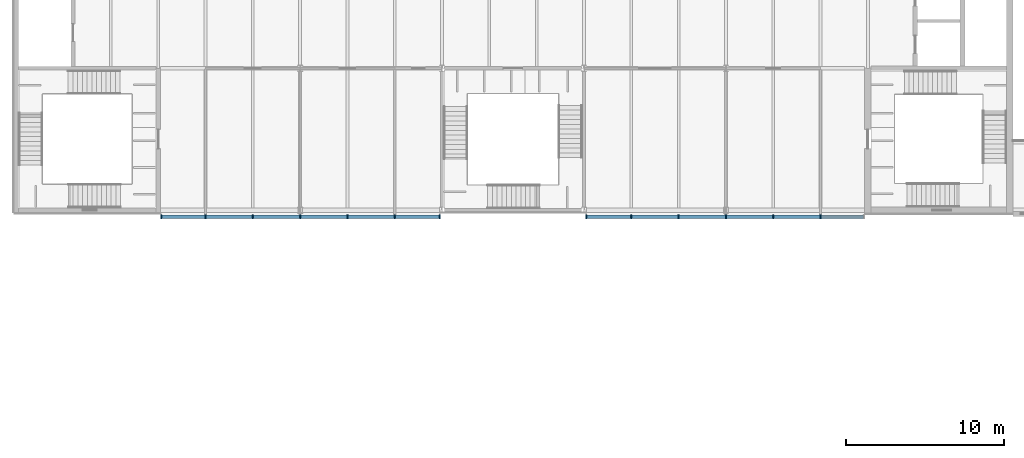
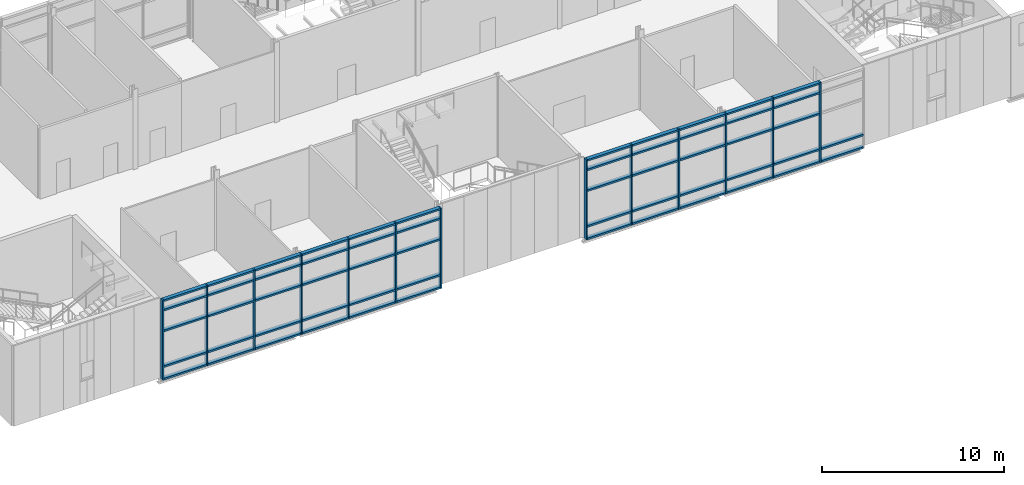
# One storey, part 12 of 56: 70 members, 2 elements without a shape of their own.
"""IFC4 building model written with IfcOpenShell, lengths in metres."""

from ifc_helpers import new_model, si_unit, direction, frame, origin, origin_2d, place, context, subcontext, project, spatial, rectangle, extrude, material, material_profile, profile_set, type_object, element, aggregate, save


model = new_model("IFC4")

# Units and contexts
model_context = context("Model", 3, precision=1e-05, world=origin(), true_north=direction((0.0, 1.0)))
body_context = subcontext(model_context, "Body", "Model", "MODEL_VIEW")
ifc_project = project(units=[si_unit("LENGTHUNIT", "METRE"), si_unit("AREAUNIT", "SQUARE_METRE"), si_unit("VOLUMEUNIT", "CUBIC_METRE"), si_unit("PLANEANGLEUNIT", "RADIAN"), si_unit("MASSUNIT", "GRAM", prefix="KILO")], contexts=[model_context])

# Site, building, storey
site_placement = place(None, origin())
site = spatial("IfcSite", under=ifc_project, at=site_placement, CompositionType="ELEMENT")
building_placement = place(site_placement, origin())
building = spatial("IfcBuilding", under=site, at=building_placement, Name="Azimuth Sports and Learning Centre", CompositionType="ELEMENT")
storey_placement = place(building_placement, frame((0.0, 0.0, 5.39990234375)))
storey = spatial("IfcBuildingStorey", under=building, at=storey_placement, Name="L01", CompositionType="ELEMENT", Elevation=5.39990234375)

# Curtain wall, members
ifc_material_1 = material(Name="Aluminium and glass", Category="aluminium")
curtain_wall_type = type_object("IfcCurtainWallType", Name="Curtain wall podium wing 240", PredefinedType="NOTDEFINED", material=ifc_material_1)
curtain_wall_1_placement = place(storey_placement, origin())
curtain_wall_1 = element("IfcCurtainWall", 1, at=curtain_wall_1_placement, inside=storey, type_object=curtain_wall_type, Name="Curtain wall CW01-001", PredefinedType="NOTDEFINED")
ifc_material_2 = material(Name="Aluminium", Category="aluminium")
ifc_material_profile_1 = material_profile(ifc_material_2, rectangle(XDim=0.239990234375, YDim=0.080078125, at=origin_2d()), Name="Mullion 80x240")
ifc_profile_set_1 = profile_set([ifc_material_profile_1], Name="Aluminium")
member_type_1 = type_object("IfcMemberType", Name="Mullion 80x240", PredefinedType="MULLION", material=ifc_profile_set_1)
member_1_placement = place(storey_placement, frame((9.18994140625, 89.580078125, 0.0), z_axis=(0.0, 0.0, 1.0), x_axis=(0.0, 1.0, 0.0)))
member_1 = element("IfcMember", 2, at=member_1_placement, type_object=member_type_1, Name="CW01-001 mullion 1", PredefinedType="MULLION", context=body_context, shape_type="SweptSolid", body=[
    extrude(rectangle(XDim=0.239990234375, YDim=0.080078125, at=origin_2d()), origin(), (0.0, 0.0, 1.0), 5.400146484375),
])
member_2_placement = place(storey_placement, frame((12.0, 89.580078125, 0.0), z_axis=(0.0, 0.0, 1.0), x_axis=(0.0, 1.0, 0.0)))
member_2 = element("IfcMember", 3, at=member_2_placement, type_object=member_type_1, Name="CW01-001 mullion 2", PredefinedType="MULLION", context=body_context, shape_type="SweptSolid", body=[
    extrude(rectangle(XDim=0.239990234375, YDim=0.080078125, at=origin_2d()), origin(), (0.0, 0.0, 1.0), 5.400146484375),
])
member_3_placement = place(storey_placement, frame((15.0, 89.580078125, 0.0), z_axis=(0.0, 0.0, 1.0), x_axis=(0.0, 1.0, 0.0)))
member_3 = element("IfcMember", 4, at=member_3_placement, type_object=member_type_1, Name="CW01-001 mullion 3", PredefinedType="MULLION", context=body_context, shape_type="SweptSolid", body=[
    extrude(rectangle(XDim=0.239990234375, YDim=0.080078125, at=origin_2d()), origin(), (0.0, 0.0, 1.0), 5.400146484375),
])
member_4_placement = place(storey_placement, frame((18.0, 89.580078125, 0.0), z_axis=(0.0, 0.0, 1.0), x_axis=(0.0, 1.0, 0.0)))
member_4 = element("IfcMember", 5, at=member_4_placement, type_object=member_type_1, Name="CW01-001 mullion 4", PredefinedType="MULLION", context=body_context, shape_type="SweptSolid", body=[
    extrude(rectangle(XDim=0.239990234375, YDim=0.080078125, at=origin_2d()), origin(), (0.0, 0.0, 1.0), 5.400146484375),
])
member_5_placement = place(storey_placement, frame((21.0, 89.580078125, 0.0), z_axis=(0.0, 0.0, 1.0), x_axis=(0.0, 1.0, 0.0)))
member_5 = element("IfcMember", 6, at=member_5_placement, type_object=member_type_1, Name="CW01-001 mullion 5", PredefinedType="MULLION", context=body_context, shape_type="SweptSolid", body=[
    extrude(rectangle(XDim=0.239990234375, YDim=0.080078125, at=origin_2d()), origin(), (0.0, 0.0, 1.0), 5.400146484375),
])
member_6_placement = place(storey_placement, frame((24.0, 89.580078125, 0.0), z_axis=(0.0, 0.0, 1.0), x_axis=(0.0, 1.0, 0.0)))
member_6 = element("IfcMember", 7, at=member_6_placement, type_object=member_type_1, Name="CW01-001 mullion 6", PredefinedType="MULLION", context=body_context, shape_type="SweptSolid", body=[
    extrude(rectangle(XDim=0.239990234375, YDim=0.080078125, at=origin_2d()), origin(), (0.0, 0.0, 1.0), 5.400146484375),
])
member_7_placement = place(storey_placement, frame((26.860107421875, 89.580078125, 0.0), z_axis=(0.0, 0.0, 1.0), x_axis=(0.0, 1.0, 0.0)))
member_7 = element("IfcMember", 8, at=member_7_placement, type_object=member_type_1, Name="CW01-001 mullion 7", PredefinedType="MULLION", context=body_context, shape_type="SweptSolid", body=[
    extrude(rectangle(XDim=0.239990234375, YDim=0.080078125, at=origin_2d()), origin(), (0.0, 0.0, 1.0), 5.400146484375),
])

curtain_wall_2_placement = place(storey_placement, origin())
curtain_wall_2 = element("IfcCurtainWall", 9, at=curtain_wall_2_placement, inside=storey, type_object=curtain_wall_type, Name="Curtain wall CW01-002", PredefinedType="NOTDEFINED")
member_8_placement = place(storey_placement, frame((36.139892578125, 89.580078125, 0.0), z_axis=(0.0, 0.0, 1.0), x_axis=(0.0, 1.0, 0.0)))
member_8 = element("IfcMember", 10, at=member_8_placement, type_object=member_type_1, Name="CW01-002 mullion 1", PredefinedType="MULLION", context=body_context, shape_type="SweptSolid", body=[
    extrude(rectangle(XDim=0.239990234375, YDim=0.080078125, at=origin_2d()), origin(), (0.0, 0.0, 1.0), 5.400146484375),
])
member_9_placement = place(storey_placement, frame((39.0, 89.580078125, 0.0), z_axis=(0.0, 0.0, 1.0), x_axis=(0.0, 1.0, 0.0)))
member_9 = element("IfcMember", 11, at=member_9_placement, type_object=member_type_1, Name="CW01-002 mullion 2", PredefinedType="MULLION", context=body_context, shape_type="SweptSolid", body=[
    extrude(rectangle(XDim=0.239990234375, YDim=0.080078125, at=origin_2d()), origin(), (0.0, 0.0, 1.0), 5.400146484375),
])
member_10_placement = place(storey_placement, frame((42.0, 89.580078125, 0.0), z_axis=(0.0, 0.0, 1.0), x_axis=(0.0, 1.0, 0.0)))
member_10 = element("IfcMember", 12, at=member_10_placement, type_object=member_type_1, Name="CW01-002 mullion 3", PredefinedType="MULLION", context=body_context, shape_type="SweptSolid", body=[
    extrude(rectangle(XDim=0.239990234375, YDim=0.080078125, at=origin_2d()), origin(), (0.0, 0.0, 1.0), 5.400146484375),
])
member_11_placement = place(storey_placement, frame((45.0, 89.580078125, 0.0), z_axis=(0.0, 0.0, 1.0), x_axis=(0.0, 1.0, 0.0)))
member_11 = element("IfcMember", 13, at=member_11_placement, type_object=member_type_1, Name="CW01-002 mullion 4", PredefinedType="MULLION", context=body_context, shape_type="SweptSolid", body=[
    extrude(rectangle(XDim=0.239990234375, YDim=0.080078125, at=origin_2d()), origin(), (0.0, 0.0, 1.0), 5.400146484375),
])
member_12_placement = place(storey_placement, frame((48.0, 89.580078125, 0.0), z_axis=(0.0, 0.0, 1.0), x_axis=(0.0, 1.0, 0.0)))
member_12 = element("IfcMember", 14, at=member_12_placement, type_object=member_type_1, Name="CW01-002 mullion 5", PredefinedType="MULLION", context=body_context, shape_type="SweptSolid", body=[
    extrude(rectangle(XDim=0.239990234375, YDim=0.080078125, at=origin_2d()), origin(), (0.0, 0.0, 1.0), 5.400146484375),
])
member_13_placement = place(storey_placement, frame((51.0, 89.580078125, 0.0), z_axis=(0.0, 0.0, 1.0), x_axis=(0.0, 1.0, 0.0)))
member_13 = element("IfcMember", 15, at=member_13_placement, type_object=member_type_1, Name="CW01-002 mullion 6", PredefinedType="MULLION", context=body_context, shape_type="SweptSolid", body=[
    extrude(rectangle(XDim=0.239990234375, YDim=0.080078125, at=origin_2d()), origin(), (0.0, 0.0, 1.0), 5.400146484375),
])

# Member
ifc_material_3 = material(Name="Aluminium", Category="aluminium")
ifc_material_profile_2 = material_profile(ifc_material_3, rectangle(XDim=0.239990234375, YDim=0.1201171875, at=origin_2d()), Name="Transom 120x240")
ifc_profile_set_2 = profile_set([ifc_material_profile_2], Name="Aluminium")
member_type_2 = type_object("IfcMemberType", Name="Transom 120x240", PredefinedType="USERDEFINED", material=ifc_profile_set_2)
member_14_placement = place(storey_placement, frame((9.22998046875, 89.580078125, 0.06005859375), z_axis=(1.0, 0.0, 0.0), x_axis=(0.0, 1.0, 0.0)))
member_14 = element("IfcMember", 16, at=member_14_placement, type_object=member_type_2, Name="CW01-001 transom 1.1", ObjectType="TRANSOM", PredefinedType="USERDEFINED", context=body_context, shape_type="SweptSolid", body=[
    extrude(rectangle(XDim=0.239990234375, YDim=0.1201171875, at=origin_2d()), origin(), (0.0, 0.0, 1.0), 2.72998046875),
])

member_15_placement = place(storey_placement, frame((9.22998046875, 89.580078125, 0.900146484375), z_axis=(1.0, 0.0, 0.0), x_axis=(0.0, 1.0, 0.0)))
member_15 = element("IfcMember", 17, at=member_15_placement, type_object=member_type_2, Name="CW01-001 transom 1.2", ObjectType="TRANSOM", PredefinedType="USERDEFINED", context=body_context, shape_type="SweptSolid", body=[
    extrude(rectangle(XDim=0.239990234375, YDim=0.1201171875, at=origin_2d()), origin(), (0.0, 0.0, 1.0), 2.72998046875),
])

member_16_placement = place(storey_placement, frame((9.22998046875, 89.580078125, 3.300048828125), z_axis=(1.0, 0.0, 0.0), x_axis=(0.0, 1.0, 0.0)))
member_16 = element("IfcMember", 18, at=member_16_placement, type_object=member_type_2, Name="CW01-001 transom 1.3", ObjectType="TRANSOM", PredefinedType="USERDEFINED", context=body_context, shape_type="SweptSolid", body=[
    extrude(rectangle(XDim=0.239990234375, YDim=0.1201171875, at=origin_2d()), origin(), (0.0, 0.0, 1.0), 2.72998046875),
])

member_17_placement = place(storey_placement, frame((9.22998046875, 89.580078125, 4.7001953125), z_axis=(1.0, 0.0, 0.0), x_axis=(0.0, 1.0, 0.0)))
member_17 = element("IfcMember", 19, at=member_17_placement, type_object=member_type_2, Name="CW01-001 transom 1.4", ObjectType="TRANSOM", PredefinedType="USERDEFINED", context=body_context, shape_type="SweptSolid", body=[
    extrude(rectangle(XDim=0.239990234375, YDim=0.1201171875, at=origin_2d()), origin(), (0.0, 0.0, 1.0), 2.72998046875),
])

member_18_placement = place(storey_placement, frame((9.22998046875, 89.580078125, 5.340087890625), z_axis=(1.0, 0.0, 0.0), x_axis=(0.0, 1.0, 0.0)))
member_18 = element("IfcMember", 20, at=member_18_placement, type_object=member_type_2, Name="CW01-001 transom 1.5", ObjectType="TRANSOM", PredefinedType="USERDEFINED", context=body_context, shape_type="SweptSolid", body=[
    extrude(rectangle(XDim=0.239990234375, YDim=0.1201171875, at=origin_2d()), origin(), (0.0, 0.0, 1.0), 2.72998046875),
])

member_19_placement = place(storey_placement, frame((12.0400390625, 89.580078125, 0.06005859375), z_axis=(1.0, 0.0, 0.0), x_axis=(0.0, 1.0, 0.0)))
member_19 = element("IfcMember", 21, at=member_19_placement, type_object=member_type_2, Name="CW01-001 transom 2.1", ObjectType="TRANSOM", PredefinedType="USERDEFINED", context=body_context, shape_type="SweptSolid", body=[
    extrude(rectangle(XDim=0.239990234375, YDim=0.1201171875, at=origin_2d()), origin(), (0.0, 0.0, 1.0), 2.919921875),
])

member_20_placement = place(storey_placement, frame((12.0400390625, 89.580078125, 0.900146484375), z_axis=(1.0, 0.0, 0.0), x_axis=(0.0, 1.0, 0.0)))
member_20 = element("IfcMember", 22, at=member_20_placement, type_object=member_type_2, Name="CW01-001 transom 2.2", ObjectType="TRANSOM", PredefinedType="USERDEFINED", context=body_context, shape_type="SweptSolid", body=[
    extrude(rectangle(XDim=0.239990234375, YDim=0.1201171875, at=origin_2d()), origin(), (0.0, 0.0, 1.0), 2.919921875),
])

member_21_placement = place(storey_placement, frame((12.0400390625, 89.580078125, 3.300048828125), z_axis=(1.0, 0.0, 0.0), x_axis=(0.0, 1.0, 0.0)))
member_21 = element("IfcMember", 23, at=member_21_placement, type_object=member_type_2, Name="CW01-001 transom 2.3", ObjectType="TRANSOM", PredefinedType="USERDEFINED", context=body_context, shape_type="SweptSolid", body=[
    extrude(rectangle(XDim=0.239990234375, YDim=0.1201171875, at=origin_2d()), origin(), (0.0, 0.0, 1.0), 2.919921875),
])

member_22_placement = place(storey_placement, frame((12.0400390625, 89.580078125, 4.7001953125), z_axis=(1.0, 0.0, 0.0), x_axis=(0.0, 1.0, 0.0)))
member_22 = element("IfcMember", 24, at=member_22_placement, type_object=member_type_2, Name="CW01-001 transom 2.4", ObjectType="TRANSOM", PredefinedType="USERDEFINED", context=body_context, shape_type="SweptSolid", body=[
    extrude(rectangle(XDim=0.239990234375, YDim=0.1201171875, at=origin_2d()), origin(), (0.0, 0.0, 1.0), 2.919921875),
])

member_23_placement = place(storey_placement, frame((12.0400390625, 89.580078125, 5.340087890625), z_axis=(1.0, 0.0, 0.0), x_axis=(0.0, 1.0, 0.0)))
member_23 = element("IfcMember", 25, at=member_23_placement, type_object=member_type_2, Name="CW01-001 transom 2.5", ObjectType="TRANSOM", PredefinedType="USERDEFINED", context=body_context, shape_type="SweptSolid", body=[
    extrude(rectangle(XDim=0.239990234375, YDim=0.1201171875, at=origin_2d()), origin(), (0.0, 0.0, 1.0), 2.919921875),
])

member_24_placement = place(storey_placement, frame((15.0400390625, 89.580078125, 0.06005859375), z_axis=(1.0, 0.0, 0.0), x_axis=(0.0, 1.0, 0.0)))
member_24 = element("IfcMember", 26, at=member_24_placement, type_object=member_type_2, Name="CW01-001 transom 3.1", ObjectType="TRANSOM", PredefinedType="USERDEFINED", context=body_context, shape_type="SweptSolid", body=[
    extrude(rectangle(XDim=0.239990234375, YDim=0.1201171875, at=origin_2d()), origin(), (0.0, 0.0, 1.0), 2.919921875),
])

member_25_placement = place(storey_placement, frame((15.0400390625, 89.580078125, 0.900146484375), z_axis=(1.0, 0.0, 0.0), x_axis=(0.0, 1.0, 0.0)))
member_25 = element("IfcMember", 27, at=member_25_placement, type_object=member_type_2, Name="CW01-001 transom 3.2", ObjectType="TRANSOM", PredefinedType="USERDEFINED", context=body_context, shape_type="SweptSolid", body=[
    extrude(rectangle(XDim=0.239990234375, YDim=0.1201171875, at=origin_2d()), origin(), (0.0, 0.0, 1.0), 2.919921875),
])

member_26_placement = place(storey_placement, frame((15.0400390625, 89.580078125, 3.300048828125), z_axis=(1.0, 0.0, 0.0), x_axis=(0.0, 1.0, 0.0)))
member_26 = element("IfcMember", 28, at=member_26_placement, type_object=member_type_2, Name="CW01-001 transom 3.3", ObjectType="TRANSOM", PredefinedType="USERDEFINED", context=body_context, shape_type="SweptSolid", body=[
    extrude(rectangle(XDim=0.239990234375, YDim=0.1201171875, at=origin_2d()), origin(), (0.0, 0.0, 1.0), 2.919921875),
])

member_27_placement = place(storey_placement, frame((15.0400390625, 89.580078125, 4.7001953125), z_axis=(1.0, 0.0, 0.0), x_axis=(0.0, 1.0, 0.0)))
member_27 = element("IfcMember", 29, at=member_27_placement, type_object=member_type_2, Name="CW01-001 transom 3.4", ObjectType="TRANSOM", PredefinedType="USERDEFINED", context=body_context, shape_type="SweptSolid", body=[
    extrude(rectangle(XDim=0.239990234375, YDim=0.1201171875, at=origin_2d()), origin(), (0.0, 0.0, 1.0), 2.919921875),
])

member_28_placement = place(storey_placement, frame((15.0400390625, 89.580078125, 5.340087890625), z_axis=(1.0, 0.0, 0.0), x_axis=(0.0, 1.0, 0.0)))
member_28 = element("IfcMember", 30, at=member_28_placement, type_object=member_type_2, Name="CW01-001 transom 3.5", ObjectType="TRANSOM", PredefinedType="USERDEFINED", context=body_context, shape_type="SweptSolid", body=[
    extrude(rectangle(XDim=0.239990234375, YDim=0.1201171875, at=origin_2d()), origin(), (0.0, 0.0, 1.0), 2.919921875),
])

member_29_placement = place(storey_placement, frame((18.0400390625, 89.580078125, 0.06005859375), z_axis=(1.0, 0.0, 0.0), x_axis=(0.0, 1.0, 0.0)))
member_29 = element("IfcMember", 31, at=member_29_placement, type_object=member_type_2, Name="CW01-001 transom 4.1", ObjectType="TRANSOM", PredefinedType="USERDEFINED", context=body_context, shape_type="SweptSolid", body=[
    extrude(rectangle(XDim=0.239990234375, YDim=0.1201171875, at=origin_2d()), origin(), (0.0, 0.0, 1.0), 2.919921875),
])

member_30_placement = place(storey_placement, frame((18.0400390625, 89.580078125, 0.900146484375), z_axis=(1.0, 0.0, 0.0), x_axis=(0.0, 1.0, 0.0)))
member_30 = element("IfcMember", 32, at=member_30_placement, type_object=member_type_2, Name="CW01-001 transom 4.2", ObjectType="TRANSOM", PredefinedType="USERDEFINED", context=body_context, shape_type="SweptSolid", body=[
    extrude(rectangle(XDim=0.239990234375, YDim=0.1201171875, at=origin_2d()), origin(), (0.0, 0.0, 1.0), 2.919921875),
])

member_31_placement = place(storey_placement, frame((18.0400390625, 89.580078125, 3.300048828125), z_axis=(1.0, 0.0, 0.0), x_axis=(0.0, 1.0, 0.0)))
member_31 = element("IfcMember", 33, at=member_31_placement, type_object=member_type_2, Name="CW01-001 transom 4.3", ObjectType="TRANSOM", PredefinedType="USERDEFINED", context=body_context, shape_type="SweptSolid", body=[
    extrude(rectangle(XDim=0.239990234375, YDim=0.1201171875, at=origin_2d()), origin(), (0.0, 0.0, 1.0), 2.919921875),
])

member_32_placement = place(storey_placement, frame((18.0400390625, 89.580078125, 4.7001953125), z_axis=(1.0, 0.0, 0.0), x_axis=(0.0, 1.0, 0.0)))
member_32 = element("IfcMember", 34, at=member_32_placement, type_object=member_type_2, Name="CW01-001 transom 4.4", ObjectType="TRANSOM", PredefinedType="USERDEFINED", context=body_context, shape_type="SweptSolid", body=[
    extrude(rectangle(XDim=0.239990234375, YDim=0.1201171875, at=origin_2d()), origin(), (0.0, 0.0, 1.0), 2.919921875),
])

member_33_placement = place(storey_placement, frame((18.0400390625, 89.580078125, 5.340087890625), z_axis=(1.0, 0.0, 0.0), x_axis=(0.0, 1.0, 0.0)))
member_33 = element("IfcMember", 35, at=member_33_placement, type_object=member_type_2, Name="CW01-001 transom 4.5", ObjectType="TRANSOM", PredefinedType="USERDEFINED", context=body_context, shape_type="SweptSolid", body=[
    extrude(rectangle(XDim=0.239990234375, YDim=0.1201171875, at=origin_2d()), origin(), (0.0, 0.0, 1.0), 2.919921875),
])

member_34_placement = place(storey_placement, frame((21.0400390625, 89.580078125, 0.06005859375), z_axis=(1.0, 0.0, 0.0), x_axis=(0.0, 1.0, 0.0)))
member_34 = element("IfcMember", 36, at=member_34_placement, type_object=member_type_2, Name="CW01-001 transom 5.1", ObjectType="TRANSOM", PredefinedType="USERDEFINED", context=body_context, shape_type="SweptSolid", body=[
    extrude(rectangle(XDim=0.239990234375, YDim=0.1201171875, at=origin_2d()), origin(), (0.0, 0.0, 1.0), 2.919921875),
])

member_35_placement = place(storey_placement, frame((21.0400390625, 89.580078125, 0.900146484375), z_axis=(1.0, 0.0, 0.0), x_axis=(0.0, 1.0, 0.0)))
member_35 = element("IfcMember", 37, at=member_35_placement, type_object=member_type_2, Name="CW01-001 transom 5.2", ObjectType="TRANSOM", PredefinedType="USERDEFINED", context=body_context, shape_type="SweptSolid", body=[
    extrude(rectangle(XDim=0.239990234375, YDim=0.1201171875, at=origin_2d()), origin(), (0.0, 0.0, 1.0), 2.919921875),
])

member_36_placement = place(storey_placement, frame((21.0400390625, 89.580078125, 3.300048828125), z_axis=(1.0, 0.0, 0.0), x_axis=(0.0, 1.0, 0.0)))
member_36 = element("IfcMember", 38, at=member_36_placement, type_object=member_type_2, Name="CW01-001 transom 5.3", ObjectType="TRANSOM", PredefinedType="USERDEFINED", context=body_context, shape_type="SweptSolid", body=[
    extrude(rectangle(XDim=0.239990234375, YDim=0.1201171875, at=origin_2d()), origin(), (0.0, 0.0, 1.0), 2.919921875),
])

member_37_placement = place(storey_placement, frame((21.0400390625, 89.580078125, 4.7001953125), z_axis=(1.0, 0.0, 0.0), x_axis=(0.0, 1.0, 0.0)))
member_37 = element("IfcMember", 39, at=member_37_placement, type_object=member_type_2, Name="CW01-001 transom 5.4", ObjectType="TRANSOM", PredefinedType="USERDEFINED", context=body_context, shape_type="SweptSolid", body=[
    extrude(rectangle(XDim=0.239990234375, YDim=0.1201171875, at=origin_2d()), origin(), (0.0, 0.0, 1.0), 2.919921875),
])

member_38_placement = place(storey_placement, frame((21.0400390625, 89.580078125, 5.340087890625), z_axis=(1.0, 0.0, 0.0), x_axis=(0.0, 1.0, 0.0)))
member_38 = element("IfcMember", 40, at=member_38_placement, type_object=member_type_2, Name="CW01-001 transom 5.5", ObjectType="TRANSOM", PredefinedType="USERDEFINED", context=body_context, shape_type="SweptSolid", body=[
    extrude(rectangle(XDim=0.239990234375, YDim=0.1201171875, at=origin_2d()), origin(), (0.0, 0.0, 1.0), 2.919921875),
])

member_39_placement = place(storey_placement, frame((24.0400390625, 89.580078125, 0.06005859375), z_axis=(1.0, 0.0, 0.0), x_axis=(0.0, 1.0, 0.0)))
member_39 = element("IfcMember", 41, at=member_39_placement, type_object=member_type_2, Name="CW01-001 transom 6.1", ObjectType="TRANSOM", PredefinedType="USERDEFINED", context=body_context, shape_type="SweptSolid", body=[
    extrude(rectangle(XDim=0.239990234375, YDim=0.1201171875, at=origin_2d()), origin(), (0.0, 0.0, 1.0), 2.780029296875),
])

member_40_placement = place(storey_placement, frame((24.0400390625, 89.580078125, 0.900146484375), z_axis=(1.0, 0.0, 0.0), x_axis=(0.0, 1.0, 0.0)))
member_40 = element("IfcMember", 42, at=member_40_placement, type_object=member_type_2, Name="CW01-001 transom 6.2", ObjectType="TRANSOM", PredefinedType="USERDEFINED", context=body_context, shape_type="SweptSolid", body=[
    extrude(rectangle(XDim=0.239990234375, YDim=0.1201171875, at=origin_2d()), origin(), (0.0, 0.0, 1.0), 2.780029296875),
])

member_41_placement = place(storey_placement, frame((24.0400390625, 89.580078125, 3.300048828125), z_axis=(1.0, 0.0, 0.0), x_axis=(0.0, 1.0, 0.0)))
member_41 = element("IfcMember", 43, at=member_41_placement, type_object=member_type_2, Name="CW01-001 transom 6.3", ObjectType="TRANSOM", PredefinedType="USERDEFINED", context=body_context, shape_type="SweptSolid", body=[
    extrude(rectangle(XDim=0.239990234375, YDim=0.1201171875, at=origin_2d()), origin(), (0.0, 0.0, 1.0), 2.780029296875),
])

member_42_placement = place(storey_placement, frame((24.0400390625, 89.580078125, 4.7001953125), z_axis=(1.0, 0.0, 0.0), x_axis=(0.0, 1.0, 0.0)))
member_42 = element("IfcMember", 44, at=member_42_placement, type_object=member_type_2, Name="CW01-001 transom 6.4", ObjectType="TRANSOM", PredefinedType="USERDEFINED", context=body_context, shape_type="SweptSolid", body=[
    extrude(rectangle(XDim=0.239990234375, YDim=0.1201171875, at=origin_2d()), origin(), (0.0, 0.0, 1.0), 2.780029296875),
])

member_43_placement = place(storey_placement, frame((24.0400390625, 89.580078125, 5.340087890625), z_axis=(1.0, 0.0, 0.0), x_axis=(0.0, 1.0, 0.0)))
member_43 = element("IfcMember", 45, at=member_43_placement, type_object=member_type_2, Name="CW01-001 transom 6.5", ObjectType="TRANSOM", PredefinedType="USERDEFINED", context=body_context, shape_type="SweptSolid", body=[
    extrude(rectangle(XDim=0.239990234375, YDim=0.1201171875, at=origin_2d()), origin(), (0.0, 0.0, 1.0), 2.780029296875),
])

aggregate(curtain_wall_1, [member_1, member_2, member_3, member_4, member_5, member_6, member_7, member_14, member_15, member_16, member_17, member_18, member_19, member_20, member_21, member_22, member_23, member_24, member_25, member_26, member_27, member_28, member_29, member_30, member_31, member_32, member_33, member_34, member_35, member_36, member_37, member_38, member_39, member_40, member_41, member_42, member_43])

member_44_placement = place(storey_placement, frame((36.179931640625, 89.580078125, 0.06005859375), z_axis=(1.0, 0.0, 0.0), x_axis=(0.0, 1.0, 0.0)))
member_44 = element("IfcMember", 46, at=member_44_placement, type_object=member_type_2, Name="CW01-002 transom 1.1", ObjectType="TRANSOM", PredefinedType="USERDEFINED", context=body_context, shape_type="SweptSolid", body=[
    extrude(rectangle(XDim=0.239990234375, YDim=0.1201171875, at=origin_2d()), origin(), (0.0, 0.0, 1.0), 2.780029296875),
])

member_45_placement = place(storey_placement, frame((36.179931640625, 89.580078125, 0.900146484375), z_axis=(1.0, 0.0, 0.0), x_axis=(0.0, 1.0, 0.0)))
member_45 = element("IfcMember", 47, at=member_45_placement, type_object=member_type_2, Name="CW01-002 transom 1.2", ObjectType="TRANSOM", PredefinedType="USERDEFINED", context=body_context, shape_type="SweptSolid", body=[
    extrude(rectangle(XDim=0.239990234375, YDim=0.1201171875, at=origin_2d()), origin(), (0.0, 0.0, 1.0), 2.780029296875),
])

member_46_placement = place(storey_placement, frame((36.179931640625, 89.580078125, 3.300048828125), z_axis=(1.0, 0.0, 0.0), x_axis=(0.0, 1.0, 0.0)))
member_46 = element("IfcMember", 48, at=member_46_placement, type_object=member_type_2, Name="CW01-002 transom 1.3", ObjectType="TRANSOM", PredefinedType="USERDEFINED", context=body_context, shape_type="SweptSolid", body=[
    extrude(rectangle(XDim=0.239990234375, YDim=0.1201171875, at=origin_2d()), origin(), (0.0, 0.0, 1.0), 2.780029296875),
])

member_47_placement = place(storey_placement, frame((36.179931640625, 89.580078125, 4.7001953125), z_axis=(1.0, 0.0, 0.0), x_axis=(0.0, 1.0, 0.0)))
member_47 = element("IfcMember", 49, at=member_47_placement, type_object=member_type_2, Name="CW01-002 transom 1.4", ObjectType="TRANSOM", PredefinedType="USERDEFINED", context=body_context, shape_type="SweptSolid", body=[
    extrude(rectangle(XDim=0.239990234375, YDim=0.1201171875, at=origin_2d()), origin(), (0.0, 0.0, 1.0), 2.780029296875),
])

member_48_placement = place(storey_placement, frame((36.179931640625, 89.580078125, 5.340087890625), z_axis=(1.0, 0.0, 0.0), x_axis=(0.0, 1.0, 0.0)))
member_48 = element("IfcMember", 50, at=member_48_placement, type_object=member_type_2, Name="CW01-002 transom 1.5", ObjectType="TRANSOM", PredefinedType="USERDEFINED", context=body_context, shape_type="SweptSolid", body=[
    extrude(rectangle(XDim=0.239990234375, YDim=0.1201171875, at=origin_2d()), origin(), (0.0, 0.0, 1.0), 2.780029296875),
])

member_49_placement = place(storey_placement, frame((39.0400390625, 89.580078125, 0.06005859375), z_axis=(1.0, 0.0, 0.0), x_axis=(0.0, 1.0, 0.0)))
member_49 = element("IfcMember", 51, at=member_49_placement, type_object=member_type_2, Name="CW01-002 transom 2.1", ObjectType="TRANSOM", PredefinedType="USERDEFINED", context=body_context, shape_type="SweptSolid", body=[
    extrude(rectangle(XDim=0.239990234375, YDim=0.1201171875, at=origin_2d()), origin(), (0.0, 0.0, 1.0), 2.919921875),
])

member_50_placement = place(storey_placement, frame((39.0400390625, 89.580078125, 0.900146484375), z_axis=(1.0, 0.0, 0.0), x_axis=(0.0, 1.0, 0.0)))
member_50 = element("IfcMember", 52, at=member_50_placement, type_object=member_type_2, Name="CW01-002 transom 2.2", ObjectType="TRANSOM", PredefinedType="USERDEFINED", context=body_context, shape_type="SweptSolid", body=[
    extrude(rectangle(XDim=0.239990234375, YDim=0.1201171875, at=origin_2d()), origin(), (0.0, 0.0, 1.0), 2.919921875),
])

member_51_placement = place(storey_placement, frame((39.0400390625, 89.580078125, 3.300048828125), z_axis=(1.0, 0.0, 0.0), x_axis=(0.0, 1.0, 0.0)))
member_51 = element("IfcMember", 53, at=member_51_placement, type_object=member_type_2, Name="CW01-002 transom 2.3", ObjectType="TRANSOM", PredefinedType="USERDEFINED", context=body_context, shape_type="SweptSolid", body=[
    extrude(rectangle(XDim=0.239990234375, YDim=0.1201171875, at=origin_2d()), origin(), (0.0, 0.0, 1.0), 2.919921875),
])

member_52_placement = place(storey_placement, frame((39.0400390625, 89.580078125, 4.7001953125), z_axis=(1.0, 0.0, 0.0), x_axis=(0.0, 1.0, 0.0)))
member_52 = element("IfcMember", 54, at=member_52_placement, type_object=member_type_2, Name="CW01-002 transom 2.4", ObjectType="TRANSOM", PredefinedType="USERDEFINED", context=body_context, shape_type="SweptSolid", body=[
    extrude(rectangle(XDim=0.239990234375, YDim=0.1201171875, at=origin_2d()), origin(), (0.0, 0.0, 1.0), 2.919921875),
])

member_53_placement = place(storey_placement, frame((39.0400390625, 89.580078125, 5.340087890625), z_axis=(1.0, 0.0, 0.0), x_axis=(0.0, 1.0, 0.0)))
member_53 = element("IfcMember", 55, at=member_53_placement, type_object=member_type_2, Name="CW01-002 transom 2.5", ObjectType="TRANSOM", PredefinedType="USERDEFINED", context=body_context, shape_type="SweptSolid", body=[
    extrude(rectangle(XDim=0.239990234375, YDim=0.1201171875, at=origin_2d()), origin(), (0.0, 0.0, 1.0), 2.919921875),
])

member_54_placement = place(storey_placement, frame((42.0400390625, 89.580078125, 0.06005859375), z_axis=(1.0, 0.0, 0.0), x_axis=(0.0, 1.0, 0.0)))
member_54 = element("IfcMember", 56, at=member_54_placement, type_object=member_type_2, Name="CW01-002 transom 3.1", ObjectType="TRANSOM", PredefinedType="USERDEFINED", context=body_context, shape_type="SweptSolid", body=[
    extrude(rectangle(XDim=0.239990234375, YDim=0.1201171875, at=origin_2d()), origin(), (0.0, 0.0, 1.0), 2.919921875),
])

member_55_placement = place(storey_placement, frame((42.0400390625, 89.580078125, 0.900146484375), z_axis=(1.0, 0.0, 0.0), x_axis=(0.0, 1.0, 0.0)))
member_55 = element("IfcMember", 57, at=member_55_placement, type_object=member_type_2, Name="CW01-002 transom 3.2", ObjectType="TRANSOM", PredefinedType="USERDEFINED", context=body_context, shape_type="SweptSolid", body=[
    extrude(rectangle(XDim=0.239990234375, YDim=0.1201171875, at=origin_2d()), origin(), (0.0, 0.0, 1.0), 2.919921875),
])

member_56_placement = place(storey_placement, frame((42.0400390625, 89.580078125, 3.300048828125), z_axis=(1.0, 0.0, 0.0), x_axis=(0.0, 1.0, 0.0)))
member_56 = element("IfcMember", 58, at=member_56_placement, type_object=member_type_2, Name="CW01-002 transom 3.3", ObjectType="TRANSOM", PredefinedType="USERDEFINED", context=body_context, shape_type="SweptSolid", body=[
    extrude(rectangle(XDim=0.239990234375, YDim=0.1201171875, at=origin_2d()), origin(), (0.0, 0.0, 1.0), 2.919921875),
])

member_57_placement = place(storey_placement, frame((42.0400390625, 89.580078125, 4.7001953125), z_axis=(1.0, 0.0, 0.0), x_axis=(0.0, 1.0, 0.0)))
member_57 = element("IfcMember", 59, at=member_57_placement, type_object=member_type_2, Name="CW01-002 transom 3.4", ObjectType="TRANSOM", PredefinedType="USERDEFINED", context=body_context, shape_type="SweptSolid", body=[
    extrude(rectangle(XDim=0.239990234375, YDim=0.1201171875, at=origin_2d()), origin(), (0.0, 0.0, 1.0), 2.919921875),
])

member_58_placement = place(storey_placement, frame((42.0400390625, 89.580078125, 5.340087890625), z_axis=(1.0, 0.0, 0.0), x_axis=(0.0, 1.0, 0.0)))
member_58 = element("IfcMember", 60, at=member_58_placement, type_object=member_type_2, Name="CW01-002 transom 3.5", ObjectType="TRANSOM", PredefinedType="USERDEFINED", context=body_context, shape_type="SweptSolid", body=[
    extrude(rectangle(XDim=0.239990234375, YDim=0.1201171875, at=origin_2d()), origin(), (0.0, 0.0, 1.0), 2.919921875),
])

member_59_placement = place(storey_placement, frame((45.0400390625, 89.580078125, 0.06005859375), z_axis=(1.0, 0.0, 0.0), x_axis=(0.0, 1.0, 0.0)))
member_59 = element("IfcMember", 61, at=member_59_placement, type_object=member_type_2, Name="CW01-002 transom 4.1", ObjectType="TRANSOM", PredefinedType="USERDEFINED", context=body_context, shape_type="SweptSolid", body=[
    extrude(rectangle(XDim=0.239990234375, YDim=0.1201171875, at=origin_2d()), origin(), (0.0, 0.0, 1.0), 2.919921875),
])

member_60_placement = place(storey_placement, frame((45.0400390625, 89.580078125, 0.900146484375), z_axis=(1.0, 0.0, 0.0), x_axis=(0.0, 1.0, 0.0)))
member_60 = element("IfcMember", 62, at=member_60_placement, type_object=member_type_2, Name="CW01-002 transom 4.2", ObjectType="TRANSOM", PredefinedType="USERDEFINED", context=body_context, shape_type="SweptSolid", body=[
    extrude(rectangle(XDim=0.239990234375, YDim=0.1201171875, at=origin_2d()), origin(), (0.0, 0.0, 1.0), 2.919921875),
])

member_61_placement = place(storey_placement, frame((45.0400390625, 89.580078125, 3.300048828125), z_axis=(1.0, 0.0, 0.0), x_axis=(0.0, 1.0, 0.0)))
member_61 = element("IfcMember", 63, at=member_61_placement, type_object=member_type_2, Name="CW01-002 transom 4.3", ObjectType="TRANSOM", PredefinedType="USERDEFINED", context=body_context, shape_type="SweptSolid", body=[
    extrude(rectangle(XDim=0.239990234375, YDim=0.1201171875, at=origin_2d()), origin(), (0.0, 0.0, 1.0), 2.919921875),
])

member_62_placement = place(storey_placement, frame((45.0400390625, 89.580078125, 4.7001953125), z_axis=(1.0, 0.0, 0.0), x_axis=(0.0, 1.0, 0.0)))
member_62 = element("IfcMember", 64, at=member_62_placement, type_object=member_type_2, Name="CW01-002 transom 4.4", ObjectType="TRANSOM", PredefinedType="USERDEFINED", context=body_context, shape_type="SweptSolid", body=[
    extrude(rectangle(XDim=0.239990234375, YDim=0.1201171875, at=origin_2d()), origin(), (0.0, 0.0, 1.0), 2.919921875),
])

member_63_placement = place(storey_placement, frame((45.0400390625, 89.580078125, 5.340087890625), z_axis=(1.0, 0.0, 0.0), x_axis=(0.0, 1.0, 0.0)))
member_63 = element("IfcMember", 65, at=member_63_placement, type_object=member_type_2, Name="CW01-002 transom 4.5", ObjectType="TRANSOM", PredefinedType="USERDEFINED", context=body_context, shape_type="SweptSolid", body=[
    extrude(rectangle(XDim=0.239990234375, YDim=0.1201171875, at=origin_2d()), origin(), (0.0, 0.0, 1.0), 2.919921875),
])

member_64_placement = place(storey_placement, frame((48.0400390625, 89.580078125, 0.06005859375), z_axis=(1.0, 0.0, 0.0), x_axis=(0.0, 1.0, 0.0)))
member_64 = element("IfcMember", 66, at=member_64_placement, type_object=member_type_2, Name="CW01-002 transom 5.1", ObjectType="TRANSOM", PredefinedType="USERDEFINED", context=body_context, shape_type="SweptSolid", body=[
    extrude(rectangle(XDim=0.239990234375, YDim=0.1201171875, at=origin_2d()), origin(), (0.0, 0.0, 1.0), 2.919921875),
])

member_65_placement = place(storey_placement, frame((48.0400390625, 89.580078125, 0.900146484375), z_axis=(1.0, 0.0, 0.0), x_axis=(0.0, 1.0, 0.0)))
member_65 = element("IfcMember", 67, at=member_65_placement, type_object=member_type_2, Name="CW01-002 transom 5.2", ObjectType="TRANSOM", PredefinedType="USERDEFINED", context=body_context, shape_type="SweptSolid", body=[
    extrude(rectangle(XDim=0.239990234375, YDim=0.1201171875, at=origin_2d()), origin(), (0.0, 0.0, 1.0), 2.919921875),
])

member_66_placement = place(storey_placement, frame((48.0400390625, 89.580078125, 3.300048828125), z_axis=(1.0, 0.0, 0.0), x_axis=(0.0, 1.0, 0.0)))
member_66 = element("IfcMember", 68, at=member_66_placement, type_object=member_type_2, Name="CW01-002 transom 5.3", ObjectType="TRANSOM", PredefinedType="USERDEFINED", context=body_context, shape_type="SweptSolid", body=[
    extrude(rectangle(XDim=0.239990234375, YDim=0.1201171875, at=origin_2d()), origin(), (0.0, 0.0, 1.0), 2.919921875),
])

member_67_placement = place(storey_placement, frame((48.0400390625, 89.580078125, 4.7001953125), z_axis=(1.0, 0.0, 0.0), x_axis=(0.0, 1.0, 0.0)))
member_67 = element("IfcMember", 69, at=member_67_placement, type_object=member_type_2, Name="CW01-002 transom 5.4", ObjectType="TRANSOM", PredefinedType="USERDEFINED", context=body_context, shape_type="SweptSolid", body=[
    extrude(rectangle(XDim=0.239990234375, YDim=0.1201171875, at=origin_2d()), origin(), (0.0, 0.0, 1.0), 2.919921875),
])

member_68_placement = place(storey_placement, frame((48.0400390625, 89.580078125, 5.340087890625), z_axis=(1.0, 0.0, 0.0), x_axis=(0.0, 1.0, 0.0)))
member_68 = element("IfcMember", 70, at=member_68_placement, type_object=member_type_2, Name="CW01-002 transom 5.5", ObjectType="TRANSOM", PredefinedType="USERDEFINED", context=body_context, shape_type="SweptSolid", body=[
    extrude(rectangle(XDim=0.239990234375, YDim=0.1201171875, at=origin_2d()), origin(), (0.0, 0.0, 1.0), 2.919921875),
])

member_69_placement = place(storey_placement, frame((51.0400390625, 89.580078125, 0.06005859375), z_axis=(1.0, 0.0, 0.0), x_axis=(0.0, 1.0, 0.0)))
member_69 = element("IfcMember", 71, at=member_69_placement, type_object=member_type_2, Name="CW01-002 transom 6.1", ObjectType="TRANSOM", PredefinedType="USERDEFINED", context=body_context, shape_type="SweptSolid", body=[
    extrude(rectangle(XDim=0.239990234375, YDim=0.1201171875, at=origin_2d()), origin(), (0.0, 0.0, 1.0), 2.679931640625),
])

member_70_placement = place(storey_placement, frame((51.0400390625, 89.580078125, 0.900146484375), z_axis=(1.0, 0.0, 0.0), x_axis=(0.0, 1.0, 0.0)))
member_70 = element("IfcMember", 72, at=member_70_placement, type_object=member_type_2, Name="CW01-002 transom 6.2", ObjectType="TRANSOM", PredefinedType="USERDEFINED", context=body_context, shape_type="SweptSolid", body=[
    extrude(rectangle(XDim=0.239990234375, YDim=0.1201171875, at=origin_2d()), origin(), (0.0, 0.0, 1.0), 2.679931640625),
])

aggregate(curtain_wall_2, [member_8, member_9, member_10, member_11, member_12, member_13, member_44, member_45, member_46, member_47, member_48, member_49, member_50, member_51, member_52, member_53, member_54, member_55, member_56, member_57, member_58, member_59, member_60, member_61, member_62, member_63, member_64, member_65, member_66, member_67, member_68, member_69, member_70])

save(model, "model.ifc")
